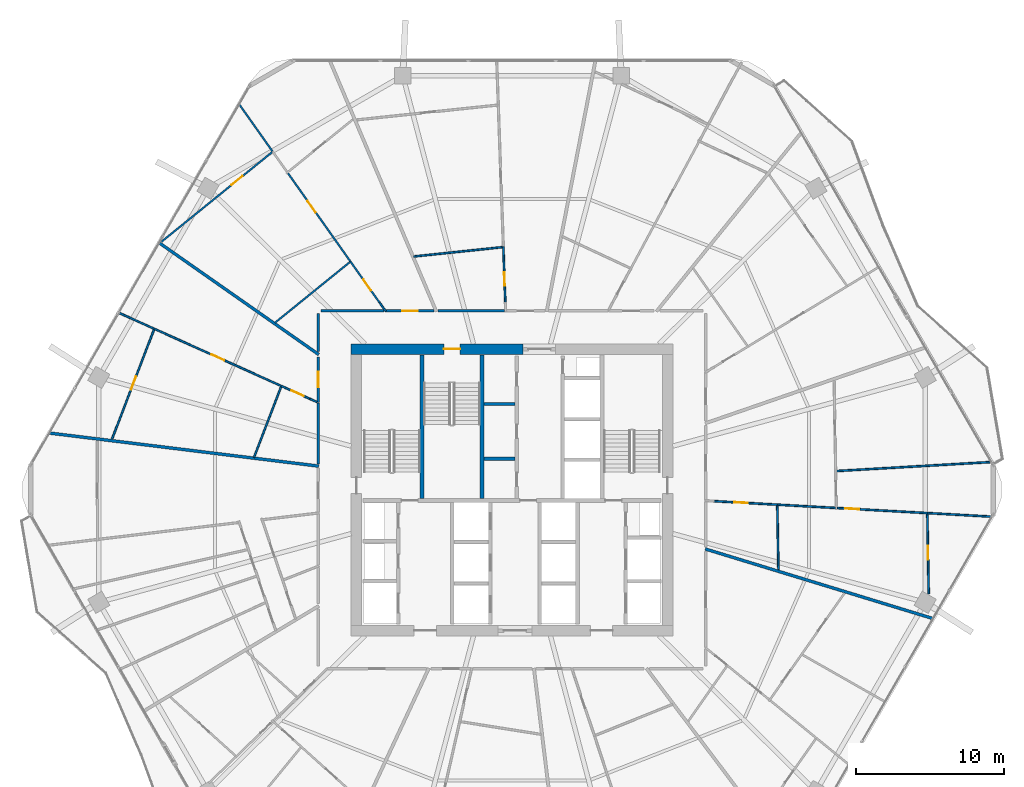
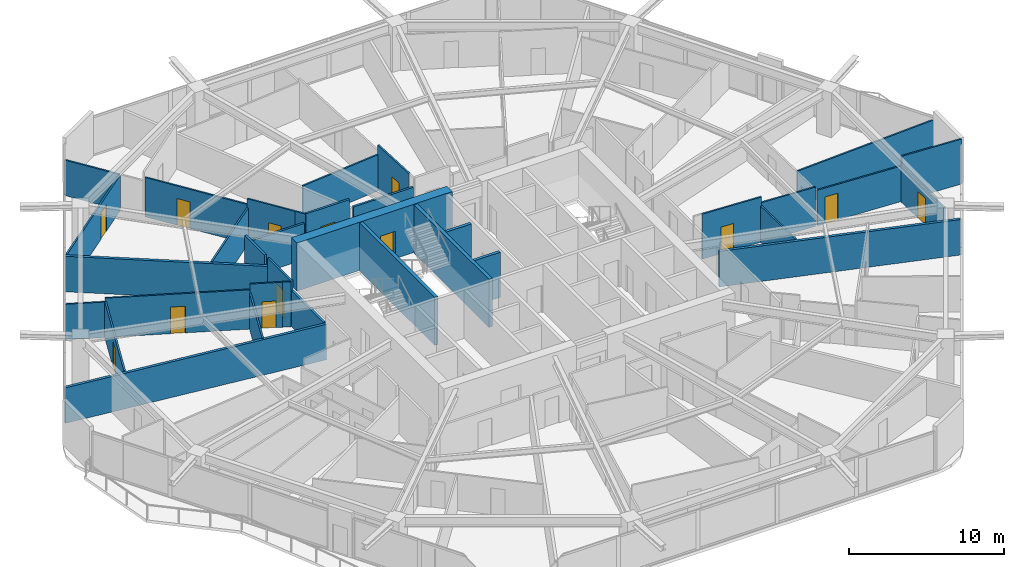
# One storey, part 27 of 32: 35 walls, 13 doors, 13 openings.
"""IFC4 building model written with IfcOpenShell, lengths in metres."""

from ifc_helpers import new_model, si_unit, direction, frame, frame_2d, origin, place, context, subcontext, project, spatial, rectangle, extrude, material, layer, layer_set, type_object, element, fill, save


model = new_model("IFC4")

# Units and contexts
model_context = context("Model", 3, precision=1e-05, world=origin(), true_north=direction((0.0, 1.0)))
body_context = subcontext(model_context, "Body", "Model", "MODEL_VIEW")
ifc_project = project(units=[si_unit("LENGTHUNIT", "METRE"), si_unit("AREAUNIT", "SQUARE_METRE"), si_unit("VOLUMEUNIT", "CUBIC_METRE"), si_unit("PLANEANGLEUNIT", "RADIAN"), si_unit("MASSUNIT", "GRAM", prefix="KILO")], contexts=[model_context])

# Site, building, storey
site_placement = place(None, origin())
site = spatial("IfcSite", under=ifc_project, at=site_placement, CompositionType="ELEMENT")
building_placement = place(site_placement, origin())
building = spatial("IfcBuilding", under=site, at=building_placement, Name="Zuhravey Tower", CompositionType="ELEMENT")
storey_placement = place(building_placement, frame((0.0, 0.0, 111.39990234375)))
storey = spatial("IfcBuildingStorey", under=building, at=storey_placement, Name="L27", CompositionType="ELEMENT", Elevation=111.39990234375)

# Wall, opening, door
ifc_material_1 = material(Name="Concrete C60/75", Category="concrete")
ifc_layer_1 = layer(ifc_material_1, 0.699951171875)
ifc_layer_set_1 = layer_set([ifc_layer_1], Name="Concrete C60/75")
wall_type_1 = type_object("IfcWallType", Name="Core Shear Wall 700", PredefinedType="SHEAR", material=ifc_layer_set_1)
wall_1_placement = place(storey_placement, frame((36.75, 41.5, 0.0), z_axis=(0.0, 0.0, 1.0), x_axis=(-1.0, 0.0, 0.0)))
wall_1 = element("IfcWall", 1, at=wall_1_placement, inside=storey, type_object=wall_type_1, Name="L27 North-West Core Shear Wall CW70", PredefinedType="SHEAR", context=body_context, shape_type="SweptSolid", body=[
    extrude(rectangle(XDim=11.60009765625, YDim=0.699951171875, at=frame_2d((5.800048828125, 0.0))), origin(), (0.0, 0.0, 1.0), 3.800048828125),
])
opening_1_placement = place(wall_1_placement, frame((4.25, 0.0, 0.0)))
opening_1 = element("IfcOpeningElement", 2, at=opening_1_placement, cuts=wall_1, Name="Opening STD1", PredefinedType="OPENING", context=body_context, shape_type="SweptSolid", body=[
    extrude(rectangle(XDim=1.10009765625, YDim=2.14990234375, at=frame_2d((0.550048828125, 1.074951171875))), frame((0.0, 0.362060546875, 0.0), z_axis=(0.0, -1.0, 0.0), x_axis=(1.0, 0.0, 0.0)), (0.0, 0.0, 1.0), 0.723876953125),
])
ifc_material_2 = material(Name="Galvanised fire-rated steel leaf", Category="steel")
door_type_1 = type_object("IfcDoorType", Name="Protected Stair Fire Door 1100x2150", OperationType="NOTDEFINED", PredefinedType="USERDEFINED", material=ifc_material_2)
door_1_placement = place(opening_1_placement, origin())
door_1 = element("IfcDoor", 3, at=door_1_placement, inside=storey, type_object=door_type_1, Name="L27 Stair ST3 Door", ObjectType="EXITDOOR", OperationType="SINGLE_SWING_RIGHT", OverallHeight=2.14990234375, OverallWidth=1.10009765625, PredefinedType="USERDEFINED", context=body_context, shape_type="SweptSolid", body=[
    extrude(rectangle(XDim=1.10009765625, YDim=2.14990234375, at=frame_2d((0.550048828125, 1.074951171875))), frame((0.0, 0.02490234375, 0.0), z_axis=(0.0, -1.0, 0.0), x_axis=(1.0, 0.0, 0.0)), (0.0, 0.0, 1.0), 0.050048828125),
])
fill(opening_1, door_1)

ifc_material_3 = material(Name="Gypsum fire-rated stud partition")
ifc_layer_2 = layer(ifc_material_3, 0.159912109375)
ifc_layer_set_2 = layer_set([ifc_layer_2], Name="Gypsum fire-rated stud partition")
wall_type_2 = type_object("IfcWallType", Name="Corridor Fire Partition 160", PredefinedType="PARTITIONING", material=ifc_layer_set_2)
wall_2_placement = place(storey_placement, frame((30.7255859375, 44.080078125, 0.0), z_axis=(0.0, 0.0, 1.0), x_axis=(-1.0, 0.0, 0.0)))
wall_2 = element("IfcWall", 4, at=wall_2_placement, inside=storey, type_object=wall_type_2, Name="L27 IW16 Partition 038", PredefinedType="PARTITIONING", context=body_context, shape_type="SweptSolid", body=[
    extrude(rectangle(XDim=3.247802734375, YDim=0.159912109375, at=frame_2d((1.6240234375, 0.0))), origin(), (0.0, 0.0, 1.0), 3.550048828125),
])
opening_2_placement = place(wall_2_placement, frame((1.09912109375, 0.0, 0.0)))
opening_2 = element("IfcOpeningElement", 5, at=opening_2_placement, cuts=wall_2, Name="Opening APD1", PredefinedType="OPENING", context=body_context, shape_type="SweptSolid", body=[
    extrude(rectangle(XDim=1.050048828125, YDim=2.14990234375, at=frame_2d((0.52490234375, 1.074951171875))), frame((0.0, 0.092041015625, 0.0), z_axis=(0.0, -1.0, 0.0), x_axis=(1.0, 0.0, 0.0)), (0.0, 0.0, 1.0), 0.183837890625),
])
ifc_material_4 = material(Name="Solid-core oak fire-rated leaf")
door_type_2 = type_object("IfcDoorType", Name="Apartment Entrance Fire Door 1050x2150", OperationType="NOTDEFINED", PredefinedType="DOOR", material=ifc_material_4)
door_2_placement = place(opening_2_placement, frame((1.050048828125, 0.0, 0.0), z_axis=(0.0, 0.0, 1.0), x_axis=(-1.0, 0.0, 0.0)))
door_2 = element("IfcDoor", 6, at=door_2_placement, inside=storey, type_object=door_type_2, Name="L27 Door 038.1", OperationType="SINGLE_SWING_RIGHT", OverallHeight=2.14990234375, OverallWidth=1.050048828125, PredefinedType="DOOR", context=body_context, shape_type="SweptSolid", body=[
    extrude(rectangle(XDim=1.050048828125, YDim=2.14990234375, at=frame_2d((0.52490234375, 1.074951171875))), frame((0.0, 0.02490234375, 0.0), z_axis=(0.0, -1.0, 0.0), x_axis=(1.0, 0.0, 0.0)), (0.0, 0.0, 1.0), 0.050048828125),
])
fill(opening_2, door_2)

wall_3_placement = place(storey_placement, frame((22.919921875, 40.96533203125, 0.0), z_axis=(0.0, 0.0, 1.0), x_axis=(0.0, -1.0, 0.0)))
wall_3 = element("IfcWall", 7, at=wall_3_placement, inside=storey, type_object=wall_type_2, Name="L27 IW16 Partition 042", PredefinedType="PARTITIONING", context=body_context, shape_type="SweptSolid", body=[
    extrude(rectangle(XDim=3.053955078125, YDim=0.159912109375, at=frame_2d((1.52685546875, 0.0))), origin(), (0.0, 0.0, 1.0), 3.550048828125),
])
opening_3_placement = place(wall_3_placement, frame((1.002197265625, 0.0, 0.0)))
opening_3 = element("IfcOpeningElement", 8, at=opening_3_placement, cuts=wall_3, Name="Opening APD1", PredefinedType="OPENING", context=body_context, shape_type="SweptSolid", body=[
    extrude(rectangle(XDim=1.050048828125, YDim=2.14990234375, at=frame_2d((0.52490234375, 1.074951171875))), frame((0.0, 0.092041015625, 0.0), z_axis=(0.0, -1.0, 0.0), x_axis=(1.0, 0.0, 0.0)), (0.0, 0.0, 1.0), 0.183837890625),
])
door_3_placement = place(opening_3_placement, frame((1.050048828125, 0.0, 0.0), z_axis=(0.0, 0.0, 1.0), x_axis=(-1.0, 0.0, 0.0)))
door_3 = element("IfcDoor", 9, at=door_3_placement, inside=storey, type_object=door_type_2, Name="L27 Door 042.1", OperationType="SINGLE_SWING_RIGHT", OverallHeight=2.14990234375, OverallWidth=1.050048828125, PredefinedType="DOOR", context=body_context, shape_type="SweptSolid", body=[
    extrude(rectangle(XDim=1.050048828125, YDim=2.14990234375, at=frame_2d((0.52490234375, 1.074951171875))), frame((0.0, 0.02490234375, 0.0), z_axis=(0.0, -1.0, 0.0), x_axis=(1.0, 0.0, 0.0)), (0.0, 0.0, 1.0), 0.050048828125),
])
fill(opening_3, door_3)

# Walls
wall_4_placement = place(storey_placement, frame((35.501708984375, 44.080078125, 0.0), z_axis=(0.0, 0.0, 1.0), x_axis=(-1.0, 0.0, 0.0)))
element("IfcWall", 10, at=wall_4_placement, inside=storey, type_object=wall_type_2, Name="L27 IW16 Partition 140", PredefinedType="PARTITIONING", context=body_context, shape_type="SweptSolid", body=[
    extrude(rectangle(XDim=4.48388671875, YDim=0.159912109375, at=frame_2d((2.241943359375, 0.0))), origin(), (0.0, 0.0, 1.0), 2.85009765625),
])
wall_5_placement = place(storey_placement, frame((27.369873046875, 44.080078125, 0.0), z_axis=(0.0, 0.0, 1.0), x_axis=(-1.0, 0.0, 0.0)))
element("IfcWall", 11, at=wall_5_placement, inside=storey, type_object=wall_type_2, Name="L27 IW16 Partition 141", PredefinedType="PARTITIONING", context=body_context, shape_type="SweptSolid", body=[
    extrude(rectangle(XDim=4.269775390625, YDim=0.159912109375, at=frame_2d((2.134765625, 0.0))), origin(), (0.0, 0.0, 1.0), 2.85009765625),
])
wall_6_placement = place(storey_placement, frame((22.919921875, 43.89990234375, 0.0), z_axis=(0.0, 0.0, 1.0), x_axis=(0.0, -1.0, 0.0)))
element("IfcWall", 12, at=wall_6_placement, inside=storey, type_object=wall_type_2, Name="L27 IW16 Partition 142", PredefinedType="PARTITIONING", context=body_context, shape_type="SweptSolid", body=[
    extrude(rectangle(XDim=2.54541015625, YDim=0.159912109375, at=frame_2d((1.272705078125, 0.0))), origin(), (0.0, 0.0, 1.0), 3.550048828125),
])
wall_7_placement = place(storey_placement, frame((22.919921875, 37.867431640625, 0.0), z_axis=(0.0, 0.0, 1.0), x_axis=(0.0, -1.0, 0.0)))
element("IfcWall", 13, at=wall_7_placement, inside=storey, type_object=wall_type_2, Name="L27 IW16 Partition 143", PredefinedType="PARTITIONING", context=body_context, shape_type="SweptSolid", body=[
    extrude(rectangle(XDim=4.125244140625, YDim=0.159912109375, at=frame_2d((2.0625, 0.0))), origin(), (0.0, 0.0, 1.0), 2.85009765625),
])
ifc_material_5 = material(Name="Concrete C50/60", Category="concrete")
ifc_layer_3 = layer(ifc_material_5, 0.25)
ifc_layer_set_3 = layer_set([ifc_layer_3], Name="Concrete C50/60")
wall_type_3 = type_object("IfcWallType", Name="Firefighting Shaft & Stair Wall 250", PredefinedType="SOLIDWALL", material=ifc_layer_set_3)
for number, where, z_axis, x_axis, name in (
    (14, (29.925048828125, 31.39990234375, 0.0), (0.0, 0.0, 1.0), (0.0, 1.0, 0.0), "L27 FW25 Shaft Wall 004"),
    (15, (33.97509765625, 31.39990234375, 0.0), (0.0, 0.0, 1.0), (0.0, 1.0, 0.0), "L27 FW25 Shaft Wall 005"),
):
    element("IfcWall", number, at=place(storey_placement, frame(where, z_axis=z_axis, x_axis=x_axis)), inside=storey, type_object=wall_type_3, Name=name, PredefinedType="SOLIDWALL", context=body_context, shape_type="SweptSolid", body=[
        extrude(rectangle(XDim=9.7001953125, YDim=0.25, at=frame_2d((4.85009765625, 0.0))), origin(), (0.0, 0.0, 1.0), 3.800048828125),
    ])
ifc_material_6 = material(Name="Gypsum double-stud party assembly")
ifc_layer_4 = layer(ifc_material_6, 0.199951171875)
ifc_layer_set_4 = layer_set([ifc_layer_4], Name="Gypsum double-stud party assembly")
wall_type_4 = type_object("IfcWallType", Name="Inter-Tenancy Party Wall 200", PredefinedType="PARTITIONING", material=ifc_layer_set_4)
wall_8_placement = place(storey_placement, frame((22.9599609375, 41.130615234375, 0.0), z_axis=(0.0, 0.0, 1.0), x_axis=(-0.819148180014, 0.573581955068, 0.0)))
element("IfcWall", 16, at=wall_8_placement, inside=storey, type_object=wall_type_4, Name="L27 IW20 Partition 101", PredefinedType="PARTITIONING", context=body_context, shape_type="SweptSolid", body=[
    extrude(rectangle(XDim=13.150146484375, YDim=0.199951171875, at=frame_2d((6.5751953125, 0.0))), origin(), (0.0, 0.0, 1.0), 2.800048828125),
])
wall_9_placement = place(storey_placement, frame((22.9599609375, 33.60107421875, 0.0), z_axis=(0.0, 0.0, 1.0), x_axis=(-0.99254551981, 0.121874489148, 0.0)))
element("IfcWall", 17, at=wall_9_placement, inside=storey, type_object=wall_type_4, Name="L27 IW20 Partition 105", PredefinedType="PARTITIONING", context=body_context, shape_type="SweptSolid", body=[
    extrude(rectangle(XDim=18.3212890625, YDim=0.199951171875, at=frame_2d((9.16064453125, 0.0))), origin(), (0.0, 0.0, 1.0), 2.800048828125),
])
wall_10_placement = place(storey_placement, frame((49.0400390625, 28.01318359375, 0.0), z_axis=(0.0, 0.0, 1.0), x_axis=(0.956308788135, -0.292358515757, 0.0)))
element("IfcWall", 18, at=wall_10_placement, inside=storey, type_object=wall_type_4, Name="L27 IW20 Partition 132", PredefinedType="PARTITIONING", context=body_context, shape_type="SweptSolid", body=[
    extrude(rectangle(XDim=16.084228515625, YDim=0.199951171875, at=frame_2d((8.0419921875, 0.0))), origin(), (0.0, 0.0, 1.0), 2.800048828125),
])
ifc_material_7 = material(Name="Gypsum acoustic stud assembly")
ifc_layer_5 = layer(ifc_material_7, 0.219970703125)
ifc_layer_set_5 = layer_set([ifc_layer_5], Name="Gypsum acoustic stud assembly")
wall_type_5 = type_object("IfcWallType", Name="School Acoustic Compartment Wall 220", PredefinedType="PARTITIONING", material=ifc_layer_set_5)
for number, where, z_axis, x_axis, name in (
    (19, (34.10791015625, 34.10009765625, 0.0), (0.0, 0.0, 1.0), (1.0, 0.0, 0.0), "L27 IW22 Partition 075"),
    (20, (34.10791015625, 37.800048828125, 0.0), (0.0, 0.0, 1.0), (1.0, 0.0, 0.0), "L27 IW22 Partition 076"),
):
    element("IfcWall", number, at=place(storey_placement, frame(where, z_axis=z_axis, x_axis=x_axis)), inside=storey, type_object=wall_type_5, Name=name, PredefinedType="PARTITIONING", context=body_context, shape_type="SweptSolid", body=[
        extrude(rectangle(XDim=2.083984375, YDim=0.219970703125, at=frame_2d((1.0419921875, 0.0))), origin(), (0.0, 0.0, 1.0), 3.550048828125),
    ])

# Wall, opening, door
ifc_material_8 = material(Name="Gypsum metal-stud partition")
ifc_layer_6 = layer(ifc_material_8, 0.1201171875)
ifc_layer_set_6 = layer_set([ifc_layer_6], Name="Gypsum metal-stud partition")
wall_type_6 = type_object("IfcWallType", Name="Unit Internal Partition 120", PredefinedType="PARTITIONING", material=ifc_layer_set_6)
wall_11_placement = place(storey_placement, frame((35.54931640625, 44.64990234375, 0.0), z_axis=(0.0, 0.0, 1.0), x_axis=(-0.03561286173, 0.999365660847, 0.0)))
wall_11 = element("IfcWall", 21, at=wall_11_placement, inside=storey, type_object=wall_type_6, Name="L27 IW12 Partition 029", PredefinedType="PARTITIONING", context=body_context, shape_type="SweptSolid", body=[
    extrude(rectangle(XDim=3.763671875, YDim=0.1201171875, at=frame_2d((1.8818359375, 0.0))), origin(), (0.0, 0.0, 1.0), 3.550048828125),
])
opening_4_placement = place(wall_11_placement, frame((1.130615234375, 0.0, 0.0)))
opening_4 = element("IfcOpeningElement", 22, at=opening_4_placement, cuts=wall_11, Name="Opening WCD1", PredefinedType="OPENING", context=body_context, shape_type="SweptSolid", body=[
    extrude(rectangle(XDim=0.89990234375, YDim=2.10009765625, at=frame_2d((0.449951171875, 1.050048828125))), frame((0.0, 0.072021484375, 0.0), z_axis=(0.0, -1.0, 0.0), x_axis=(1.0, 0.0, 0.0)), (0.0, 0.0, 1.0), 0.14404296875),
])
ifc_material_9 = material(Name="Moisture-resistant timber leaf", Category="wood")
door_type_3 = type_object("IfcDoorType", Name="Bathroom & WC Internal Door 900x2100", OperationType="NOTDEFINED", PredefinedType="DOOR", material=ifc_material_9)
door_4_placement = place(opening_4_placement, origin())
door_4 = element("IfcDoor", 23, at=door_4_placement, inside=storey, type_object=door_type_3, Name="Apartment L27-03 Bathroom Door", OperationType="SINGLE_SWING_RIGHT", OverallHeight=2.10009765625, OverallWidth=0.89990234375, PredefinedType="DOOR", context=body_context, shape_type="SweptSolid", body=[
    extrude(rectangle(XDim=0.89990234375, YDim=2.10009765625, at=frame_2d((0.449951171875, 1.050048828125))), frame((0.0, 0.02490234375, 0.0), z_axis=(0.0, -1.0, 0.0), x_axis=(1.0, 0.0, 0.0)), (0.0, 0.0, 1.0), 0.050048828125),
])
fill(opening_4, door_4)

wall_12_placement = place(storey_placement, frame((27.0498046875, 44.64990234375, 0.0), z_axis=(0.0, 0.0, 1.0), x_axis=(-0.577553372085, 0.816352927595, 0.0)))
wall_12 = element("IfcWall", 24, at=wall_12_placement, inside=storey, type_object=wall_type_6, Name="L27 IW12 Partition 034", PredefinedType="PARTITIONING", context=body_context, shape_type="SweptSolid", body=[
    extrude(rectangle(XDim=3.40234375, YDim=0.1201171875, at=frame_2d((1.701171875, 0.0))), origin(), (0.0, 0.0, 1.0), 3.550048828125),
])
opening_5_placement = place(wall_12_placement, frame((0.97900390625, 0.0, 0.0)))
opening_5 = element("IfcOpeningElement", 25, at=opening_5_placement, cuts=wall_12, Name="Opening WCD1", PredefinedType="OPENING", context=body_context, shape_type="SweptSolid", body=[
    extrude(rectangle(XDim=0.89990234375, YDim=2.10009765625, at=frame_2d((0.449951171875, 1.050048828125))), frame((0.0, 0.072021484375, 0.0), z_axis=(0.0, -1.0, 0.0), x_axis=(1.0, 0.0, 0.0)), (0.0, 0.0, 1.0), 0.14404296875),
])
door_5_placement = place(opening_5_placement, origin())
door_5 = element("IfcDoor", 26, at=door_5_placement, inside=storey, type_object=door_type_3, Name="Apartment L27-04 Bathroom Door", OperationType="SINGLE_SWING_LEFT", OverallHeight=2.10009765625, OverallWidth=0.89990234375, PredefinedType="DOOR", context=body_context, shape_type="SweptSolid", body=[
    extrude(rectangle(XDim=0.89990234375, YDim=2.10009765625, at=frame_2d((0.449951171875, 1.050048828125))), frame((0.0, 0.02490234375, 0.0), z_axis=(0.0, -1.0, 0.0), x_axis=(1.0, 0.0, 0.0)), (0.0, 0.0, 1.0), 0.050048828125),
])
fill(opening_5, door_5)

wall_13_placement = place(storey_placement, frame((25.084716796875, 47.427490234375, 0.0), z_axis=(0.0, 0.0, 1.0), x_axis=(-0.577572190058, 0.81633961393, 0.0)))
wall_13 = element("IfcWall", 27, at=wall_13_placement, inside=storey, type_object=wall_type_6, Name="L27 IW12 Partition 035", PredefinedType="PARTITIONING", context=body_context, shape_type="SweptSolid", body=[
    extrude(rectangle(XDim=7.275146484375, YDim=0.1201171875, at=frame_2d((3.6376953125, 0.0))), origin(), (0.0, 0.0, 1.0), 3.10009765625),
])
opening_6_placement = place(wall_13_placement, frame((4.04443359375, 0.0, 0.0)))
opening_6 = element("IfcOpeningElement", 28, at=opening_6_placement, cuts=wall_13, Name="Opening IND1", PredefinedType="OPENING", context=body_context, shape_type="SweptSolid", body=[
    extrude(rectangle(XDim=0.949951171875, YDim=2.10009765625, at=frame_2d((0.47509765625, 1.050048828125))), frame((0.0, 0.072021484375, 0.0), z_axis=(0.0, -1.0, 0.0), x_axis=(1.0, 0.0, 0.0)), (0.0, 0.0, 1.0), 0.14404296875),
])
ifc_material_10 = material(Name="Painted engineered timber leaf", Category="wood")
door_type_4 = type_object("IfcDoorType", Name="Internal Room & Bedroom Door 950x2100", OperationType="NOTDEFINED", PredefinedType="DOOR", material=ifc_material_10)
door_6_placement = place(opening_6_placement, origin())
door_6 = element("IfcDoor", 29, at=door_6_placement, inside=storey, type_object=door_type_4, Name="Apartment L27-04 Home Office Door", OperationType="SINGLE_SWING_RIGHT", OverallHeight=2.10009765625, OverallWidth=0.949951171875, PredefinedType="DOOR", context=body_context, shape_type="SweptSolid", body=[
    extrude(rectangle(XDim=0.949951171875, YDim=2.10009765625, at=frame_2d((0.47509765625, 1.050048828125))), frame((0.0, 0.02490234375, 0.0), z_axis=(0.0, -1.0, 0.0), x_axis=(1.0, 0.0, 0.0)), (0.0, 0.0, 1.0), 0.050048828125),
])
fill(opening_6, door_6)

wall_14_placement = place(storey_placement, frame((19.796630859375, 54.783935546875, 0.0), z_axis=(0.0, 0.0, 1.0), x_axis=(-0.777151172812, -0.629313955508, 0.0)))
wall_14 = element("IfcWall", 30, at=wall_14_placement, inside=storey, type_object=wall_type_6, Name="L27 IW12 Partition 037", PredefinedType="PARTITIONING", context=body_context, shape_type="SweptSolid", body=[
    extrude(rectangle(XDim=9.588134765625, YDim=0.1201171875, at=frame_2d((4.7939453125, 0.0))), origin(), (0.0, 0.0, 1.0), 2.800048828125),
])
opening_7_placement = place(wall_14_placement, frame((2.551513671875, 0.0, 0.0)))
opening_7 = element("IfcOpeningElement", 31, at=opening_7_placement, cuts=wall_14, Name="Opening IND1", PredefinedType="OPENING", context=body_context, shape_type="SweptSolid", body=[
    extrude(rectangle(XDim=0.949951171875, YDim=2.10009765625, at=frame_2d((0.47509765625, 1.050048828125))), frame((0.0, 0.072021484375, 0.0), z_axis=(0.0, -1.0, 0.0), x_axis=(1.0, 0.0, 0.0)), (0.0, 0.0, 1.0), 0.14404296875),
])
door_7_placement = place(opening_7_placement, frame((0.949951171875, 0.0, 0.0), z_axis=(0.0, 0.0, 1.0), x_axis=(-1.0, 0.0, 0.0)))
door_7 = element("IfcDoor", 32, at=door_7_placement, inside=storey, type_object=door_type_4, Name="Apartment L27-04 Bedroom 1 Door", OperationType="SINGLE_SWING_LEFT", OverallHeight=2.10009765625, OverallWidth=0.949951171875, PredefinedType="DOOR", context=body_context, shape_type="SweptSolid", body=[
    extrude(rectangle(XDim=0.949951171875, YDim=2.10009765625, at=frame_2d((0.47509765625, 1.050048828125))), frame((0.0, 0.02490234375, 0.0), z_axis=(0.0, -1.0, 0.0), x_axis=(1.0, 0.0, 0.0)), (0.0, 0.0, 1.0), 0.050048828125),
])
fill(opening_7, door_7)

wall_15_placement = place(storey_placement, frame((22.35009765625, 38.14599609375, 0.0), z_axis=(0.0, 0.0, 1.0), x_axis=(-0.911826982845, 0.410574662341, 0.0)))
wall_15 = element("IfcWall", 33, at=wall_15_placement, inside=storey, type_object=wall_type_6, Name="L27 IW12 Partition 039", PredefinedType="PARTITIONING", context=body_context, shape_type="SweptSolid", body=[
    extrude(rectangle(XDim=2.126953125, YDim=0.1201171875, at=frame_2d((1.0634765625, 0.0))), origin(), (0.0, 0.0, 1.0), 3.550048828125),
])
opening_8_placement = place(wall_15_placement, frame((0.443359375, 0.0, 0.0)))
opening_8 = element("IfcOpeningElement", 34, at=opening_8_placement, cuts=wall_15, Name="Opening WCD1", PredefinedType="OPENING", context=body_context, shape_type="SweptSolid", body=[
    extrude(rectangle(XDim=0.89990234375, YDim=2.10009765625, at=frame_2d((0.449951171875, 1.050048828125))), frame((0.0, 0.072021484375, 0.0), z_axis=(0.0, -1.0, 0.0), x_axis=(1.0, 0.0, 0.0)), (0.0, 0.0, 1.0), 0.14404296875),
])
door_8_placement = place(opening_8_placement, origin())
door_8 = element("IfcDoor", 35, at=door_8_placement, inside=storey, type_object=door_type_3, Name="Apartment L27-05 Bathroom Door", OperationType="SINGLE_SWING_LEFT", OverallHeight=2.10009765625, OverallWidth=0.89990234375, PredefinedType="DOOR", context=body_context, shape_type="SweptSolid", body=[
    extrude(rectangle(XDim=0.89990234375, YDim=2.10009765625, at=frame_2d((0.449951171875, 1.050048828125))), frame((0.0, 0.02490234375, 0.0), z_axis=(0.0, -1.0, 0.0), x_axis=(1.0, 0.0, 0.0)), (0.0, 0.0, 1.0), 0.050048828125),
])
fill(opening_8, door_8)

wall_16_placement = place(storey_placement, frame((20.41064453125, 39.019287109375, 0.0), z_axis=(0.0, 0.0, 1.0), x_axis=(-0.911837449282, 0.410551417104, 0.0)))
wall_16 = element("IfcWall", 36, at=wall_16_placement, inside=storey, type_object=wall_type_6, Name="L27 IW12 Partition 040", PredefinedType="PARTITIONING", context=body_context, shape_type="SweptSolid", body=[
    extrude(rectangle(XDim=9.404052734375, YDim=0.1201171875, at=frame_2d((4.7021484375, 0.0))), origin(), (0.0, 0.0, 1.0), 3.10009765625),
])
opening_9_placement = place(wall_16_placement, frame((4.2021484375, 0.0, 0.0)))
opening_9 = element("IfcOpeningElement", 37, at=opening_9_placement, cuts=wall_16, Name="Opening IND1", PredefinedType="OPENING", context=body_context, shape_type="SweptSolid", body=[
    extrude(rectangle(XDim=0.949951171875, YDim=2.10009765625, at=frame_2d((0.47509765625, 1.050048828125))), frame((0.0, 0.072021484375, 0.0), z_axis=(0.0, -1.0, 0.0), x_axis=(1.0, 0.0, 0.0)), (0.0, 0.0, 1.0), 0.14404296875),
])
door_9_placement = place(opening_9_placement, origin())
door_9 = element("IfcDoor", 38, at=door_9_placement, inside=storey, type_object=door_type_4, Name="Apartment L27-05 Home Office Door", OperationType="SINGLE_SWING_RIGHT", OverallHeight=2.10009765625, OverallWidth=0.949951171875, PredefinedType="DOOR", context=body_context, shape_type="SweptSolid", body=[
    extrude(rectangle(XDim=0.949951171875, YDim=2.10009765625, at=frame_2d((0.47509765625, 1.050048828125))), frame((0.0, 0.02490234375, 0.0), z_axis=(0.0, -1.0, 0.0), x_axis=(1.0, 0.0, 0.0)), (0.0, 0.0, 1.0), 0.050048828125),
])
fill(opening_9, door_9)

wall_17_placement = place(storey_placement, frame((11.833984375, 42.806396484375, 0.0), z_axis=(0.0, 0.0, 1.0), x_axis=(-0.358347623064, -0.933588228848, 0.0)))
wall_17 = element("IfcWall", 39, at=wall_17_placement, inside=storey, type_object=wall_type_6, Name="L27 IW12 Partition 041", PredefinedType="PARTITIONING", context=body_context, shape_type="SweptSolid", body=[
    extrude(rectangle(XDim=7.877197265625, YDim=0.1201171875, at=frame_2d((3.9384765625, 0.0))), origin(), (0.0, 0.0, 1.0), 2.85009765625),
])
opening_10_placement = place(wall_17_placement, frame((3.37939453125, 0.0, 0.0)))
opening_10 = element("IfcOpeningElement", 40, at=opening_10_placement, cuts=wall_17, Name="Opening IND1", PredefinedType="OPENING", context=body_context, shape_type="SweptSolid", body=[
    extrude(rectangle(XDim=0.949951171875, YDim=2.10009765625, at=frame_2d((0.47509765625, 1.050048828125))), frame((0.0, 0.072021484375, 0.0), z_axis=(0.0, -1.0, 0.0), x_axis=(1.0, 0.0, 0.0)), (0.0, 0.0, 1.0), 0.14404296875),
])
door_10_placement = place(opening_10_placement, frame((0.949951171875, 0.0, 0.0), z_axis=(0.0, 0.0, 1.0), x_axis=(-1.0, 0.0, 0.0)))
door_10 = element("IfcDoor", 41, at=door_10_placement, inside=storey, type_object=door_type_4, Name="Apartment L27-05 Kitchen Door", OperationType="SINGLE_SWING_LEFT", OverallHeight=2.10009765625, OverallWidth=0.949951171875, PredefinedType="DOOR", context=body_context, shape_type="SweptSolid", body=[
    extrude(rectangle(XDim=0.949951171875, YDim=2.10009765625, at=frame_2d((0.47509765625, 1.050048828125))), frame((0.0, 0.02490234375, 0.0), z_axis=(0.0, -1.0, 0.0), x_axis=(1.0, 0.0, 0.0)), (0.0, 0.0, 1.0), 0.050048828125),
])
fill(opening_10, door_10)

wall_18_placement = place(storey_placement, frame((49.64990234375, 31.23681640625, 0.0), z_axis=(0.0, 0.0, 1.0), x_axis=(0.998441902316, -0.055801144241, 0.0)))
wall_18 = element("IfcWall", 42, at=wall_18_placement, inside=storey, type_object=wall_type_6, Name="L27 IW12 Partition 070", PredefinedType="PARTITIONING", context=body_context, shape_type="SweptSolid", body=[
    extrude(rectangle(XDim=4.28759765625, YDim=0.1201171875, at=frame_2d((2.143798828125, 0.0))), origin(), (0.0, 0.0, 1.0), 3.550048828125),
])
opening_11_placement = place(wall_18_placement, frame((1.350830078125, 0.0, 0.0)))
opening_11 = element("IfcOpeningElement", 43, at=opening_11_placement, cuts=wall_18, Name="Opening WCD1", PredefinedType="OPENING", context=body_context, shape_type="SweptSolid", body=[
    extrude(rectangle(XDim=0.89990234375, YDim=2.10009765625, at=frame_2d((0.449951171875, 1.050048828125))), frame((0.0, 0.072021484375, 0.0), z_axis=(0.0, -1.0, 0.0), x_axis=(1.0, 0.0, 0.0)), (0.0, 0.0, 1.0), 0.14404296875),
])
door_11_placement = place(opening_11_placement, frame((0.89990234375, 0.0, 0.0), z_axis=(0.0, 0.0, 1.0), x_axis=(-1.0, 0.0, 0.0)))
door_11 = element("IfcDoor", 44, at=door_11_placement, inside=storey, type_object=door_type_3, Name="Apartment L27-11 Bathroom Door", OperationType="SINGLE_SWING_RIGHT", OverallHeight=2.10009765625, OverallWidth=0.89990234375, PredefinedType="DOOR", context=body_context, shape_type="SweptSolid", body=[
    extrude(rectangle(XDim=0.89990234375, YDim=2.10009765625, at=frame_2d((0.449951171875, 1.050048828125))), frame((0.0, 0.02490234375, 0.0), z_axis=(0.0, -1.0, 0.0), x_axis=(1.0, 0.0, 0.0)), (0.0, 0.0, 1.0), 0.050048828125),
])
fill(opening_11, door_11)

# Wall
wall_19_placement = place(storey_placement, frame((53.930908203125, 30.99755859375, 0.0), z_axis=(0.0, 0.0, 1.0), x_axis=(0.998438110944, -0.055868941407, 0.0)))
element("IfcWall", 45, at=wall_19_placement, inside=storey, type_object=wall_type_6, Name="L27 IW12 Partition 071", PredefinedType="PARTITIONING", context=body_context, shape_type="SweptSolid", body=[
    extrude(rectangle(XDim=3.89794921875, YDim=0.1201171875, at=frame_2d((1.948974609375, 0.0))), origin(), (0.0, 0.0, 1.0), 3.10009765625),
])

# Wall, opening, door
wall_20_placement = place(storey_placement, frame((57.958740234375, 30.772216796875, 0.0), z_axis=(0.0, 0.0, 1.0), x_axis=(0.998441350972, -0.055811008487, 0.0)))
wall_20 = element("IfcWall", 46, at=wall_20_placement, inside=storey, type_object=wall_type_6, Name="L27 IW12 Partition 072", PredefinedType="PARTITIONING", context=body_context, shape_type="SweptSolid", body=[
    extrude(rectangle(XDim=6.106689453125, YDim=0.1201171875, at=frame_2d((3.05322265625, 0.0))), origin(), (0.0, 0.0, 1.0), 2.800048828125),
])
opening_12_placement = place(wall_20_placement, frame((0.5361328125, 0.0, 0.0)))
opening_12 = element("IfcOpeningElement", 47, at=opening_12_placement, cuts=wall_20, Name="Opening IND1", PredefinedType="OPENING", context=body_context, shape_type="SweptSolid", body=[
    extrude(rectangle(XDim=0.949951171875, YDim=2.10009765625, at=frame_2d((0.47509765625, 1.050048828125))), frame((0.0, 0.072021484375, 0.0), z_axis=(0.0, -1.0, 0.0), x_axis=(1.0, 0.0, 0.0)), (0.0, 0.0, 1.0), 0.14404296875),
])
door_12_placement = place(opening_12_placement, frame((0.949951171875, 0.0, 0.0), z_axis=(0.0, 0.0, 1.0), x_axis=(-1.0, 0.0, 0.0)))
door_12 = element("IfcDoor", 48, at=door_12_placement, inside=storey, type_object=door_type_4, Name="Apartment L27-11 Home Office Door", OperationType="SINGLE_SWING_LEFT", OverallHeight=2.10009765625, OverallWidth=0.949951171875, PredefinedType="DOOR", context=body_context, shape_type="SweptSolid", body=[
    extrude(rectangle(XDim=0.949951171875, YDim=2.10009765625, at=frame_2d((0.47509765625, 1.050048828125))), frame((0.0, 0.02490234375, 0.0), z_axis=(0.0, -1.0, 0.0), x_axis=(1.0, 0.0, 0.0)), (0.0, 0.0, 1.0), 0.050048828125),
])
fill(opening_12, door_12)

wall_21_placement = place(storey_placement, frame((64.126220703125, 24.978515625, 0.0), z_axis=(0.0, 0.0, 1.0), x_axis=(-0.017448954527, 0.999847755404, 0.0)))
wall_21 = element("IfcWall", 49, at=wall_21_placement, inside=storey, type_object=wall_type_6, Name="L27 IW12 Partition 073", PredefinedType="PARTITIONING", context=body_context, shape_type="SweptSolid", body=[
    extrude(rectangle(XDim=5.38671875, YDim=0.1201171875, at=frame_2d((2.693359375, 0.0))), origin(), (0.0, 0.0, 1.0), 2.800048828125),
])
opening_13_placement = place(wall_21_placement, frame((2.302734375, 0.0, 0.0)))
opening_13 = element("IfcOpeningElement", 50, at=opening_13_placement, cuts=wall_21, Name="Opening IND1", PredefinedType="OPENING", context=body_context, shape_type="SweptSolid", body=[
    extrude(rectangle(XDim=0.949951171875, YDim=2.10009765625, at=frame_2d((0.47509765625, 1.050048828125))), frame((0.0, 0.072021484375, 0.0), z_axis=(0.0, -1.0, 0.0), x_axis=(1.0, 0.0, 0.0)), (0.0, 0.0, 1.0), 0.14404296875),
])
door_13_placement = place(opening_13_placement, frame((0.949951171875, 0.0, 0.0), z_axis=(0.0, 0.0, 1.0), x_axis=(-1.0, 0.0, 0.0)))
door_13 = element("IfcDoor", 51, at=door_13_placement, inside=storey, type_object=door_type_4, Name="Apartment L27-11 Bedroom 1 Door", OperationType="SINGLE_SWING_RIGHT", OverallHeight=2.10009765625, OverallWidth=0.949951171875, PredefinedType="DOOR", context=body_context, shape_type="SweptSolid", body=[
    extrude(rectangle(XDim=0.949951171875, YDim=2.10009765625, at=frame_2d((0.47509765625, 1.050048828125))), frame((0.0, 0.02490234375, 0.0), z_axis=(0.0, -1.0, 0.0), x_axis=(1.0, 0.0, 0.0)), (0.0, 0.0, 1.0), 0.050048828125),
])
fill(opening_13, door_13)

# Walls
wall_22_placement = place(storey_placement, frame((35.348388671875, 48.379150390625, 0.0), z_axis=(0.0, 0.0, 1.0), x_axis=(-0.994520791482, -0.104538965509, 0.0)))
element("IfcWall", 52, at=wall_22_placement, inside=storey, type_object=wall_type_6, Name="L27 IW12 Partition 096", PredefinedType="PARTITIONING", context=body_context, shape_type="SweptSolid", body=[
    extrude(rectangle(XDim=6.013671875, YDim=0.1201171875, at=frame_2d((3.0068359375, 0.0))), origin(), (0.0, 0.0, 1.0), 2.85009765625),
])
wall_23_placement = place(storey_placement, frame((27.477783203125, 44.04541015625, 0.0), z_axis=(0.0, 0.0, 1.0), x_axis=(-0.577834412399, 0.816154024586, 0.0)))
element("IfcWall", 53, at=wall_23_placement, inside=storey, type_object=wall_type_6, Name="L27 IW12 Partition 098", PredefinedType="PARTITIONING", context=body_context, shape_type="SweptSolid", body=[
    extrude(rectangle(XDim=0.74072265625, YDim=0.1201171875, at=frame_2d((0.370361328125, 0.0))), origin(), (0.0, 0.0, 1.0), 3.550048828125),
])
wall_24_placement = place(storey_placement, frame((19.835205078125, 54.847412109375, 0.0), z_axis=(0.0, 0.0, 1.0), x_axis=(-0.577627737913, 0.816300310176, 0.0)))
element("IfcWall", 54, at=wall_24_placement, inside=storey, type_object=wall_type_6, Name="L27 IW12 Partition 099", PredefinedType="PARTITIONING", context=body_context, shape_type="SweptSolid", body=[
    extrude(rectangle(XDim=3.895263671875, YDim=0.1201171875, at=frame_2d((1.94775390625, 0.0))), origin(), (0.0, 0.0, 1.0), 2.800048828125),
])
wall_25_placement = place(storey_placement, frame((25.046142578125, 47.3642578125, 0.0), z_axis=(0.0, 0.0, 1.0), x_axis=(-0.777136993878, -0.629331464926, 0.0)))
element("IfcWall", 55, at=wall_25_placement, inside=storey, type_object=wall_type_6, Name="L27 IW12 Partition 100", PredefinedType="PARTITIONING", context=body_context, shape_type="SweptSolid", body=[
    extrude(rectangle(XDim=6.483154296875, YDim=0.1201171875, at=frame_2d((3.24169921875, 0.0))), origin(), (0.0, 0.0, 1.0), 2.85009765625),
])
wall_26_placement = place(storey_placement, frame((22.83203125, 37.928955078125, 0.0), z_axis=(0.0, 0.0, 1.0), x_axis=(-0.911800467551, 0.410633543897, 0.0)))
element("IfcWall", 56, at=wall_26_placement, inside=storey, type_object=wall_type_6, Name="L27 IW12 Partition 102", PredefinedType="PARTITIONING", context=body_context, shape_type="SweptSolid", body=[
    extrude(rectangle(XDim=0.528564453125, YDim=0.1201171875, at=frame_2d((0.26416015625, 0.0))), origin(), (0.0, 0.0, 1.0), 3.550048828125),
])
wall_27_placement = place(storey_placement, frame((11.835693359375, 42.880126953125, 0.0), z_axis=(0.0, 0.0, 1.0), x_axis=(-0.911821705631, 0.410586382068, 0.0)))
element("IfcWall", 57, at=wall_27_placement, inside=storey, type_object=wall_type_6, Name="L27 IW12 Partition 103", PredefinedType="PARTITIONING", context=body_context, shape_type="SweptSolid", body=[
    extrude(rectangle(XDim=2.60986328125, YDim=0.1201171875, at=frame_2d((1.304931640625, 0.0))), origin(), (0.0, 0.0, 1.0), 2.800048828125),
])
wall_28_placement = place(storey_placement, frame((20.4091796875, 38.9453125, 0.0), z_axis=(0.0, 0.0, 1.0), x_axis=(-0.358374938657, -0.933577743598, 0.0)))
element("IfcWall", 58, at=wall_28_placement, inside=storey, type_object=wall_type_6, Name="L27 IW12 Partition 104", PredefinedType="PARTITIONING", context=body_context, shape_type="SweptSolid", body=[
    extrude(rectangle(XDim=5.091552734375, YDim=0.1201171875, at=frame_2d((2.5458984375, 0.0))), origin(), (0.0, 0.0, 1.0), 2.85009765625),
])
wall_29_placement = place(storey_placement, frame((57.915283203125, 33.271484375, 0.0), z_axis=(0.0, 0.0, 1.0), x_axis=(0.998320843176, 0.057926626694, 0.0)))
element("IfcWall", 59, at=wall_29_placement, inside=storey, type_object=wall_type_6, Name="L27 IW12 Partition 133", PredefinedType="PARTITIONING", context=body_context, shape_type="SweptSolid", body=[
    extrude(rectangle(XDim=10.490234375, YDim=0.1201171875, at=frame_2d((5.2451171875, 0.0))), origin(), (0.0, 0.0, 1.0), 2.800048828125),
])
wall_30_placement = place(storey_placement, frame((64.055908203125, 30.431396484375, 0.0), z_axis=(0.0, 0.0, 1.0), x_axis=(0.998439890164, -0.05583713575, 0.0)))
element("IfcWall", 60, at=wall_30_placement, inside=storey, type_object=wall_type_6, Name="L27 IW12 Partition 135", PredefinedType="PARTITIONING", context=body_context, shape_type="SweptSolid", body=[
    extrude(rectangle(XDim=4.34619140625, YDim=0.1201171875, at=frame_2d((2.173095703125, 0.0))), origin(), (0.0, 0.0, 1.0), 3.550048828125),
])
wall_31_placement = place(storey_placement, frame((53.982421875, 26.615234375, 0.0), z_axis=(0.0, 0.0, 1.0), x_axis=(-0.017478660109, 0.999847236552, 0.0)))
element("IfcWall", 61, at=wall_31_placement, inside=storey, type_object=wall_type_6, Name="L27 IW12 Partition 136", PredefinedType="PARTITIONING", context=body_context, shape_type="SweptSolid", body=[
    extrude(rectangle(XDim=4.316162109375, YDim=0.1201171875, at=frame_2d((2.158203125, 0.0))), origin(), (0.0, 0.0, 1.0), 2.85009765625),
])

save(model, "model.ifc")
